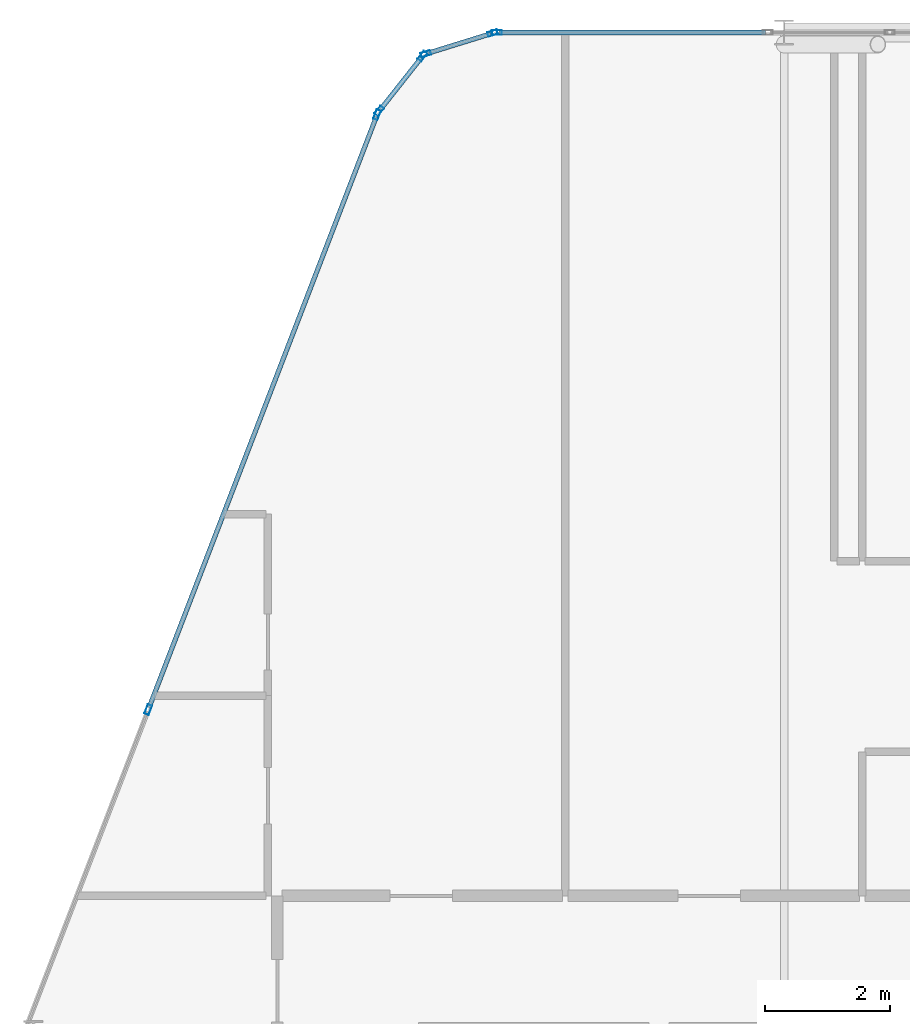
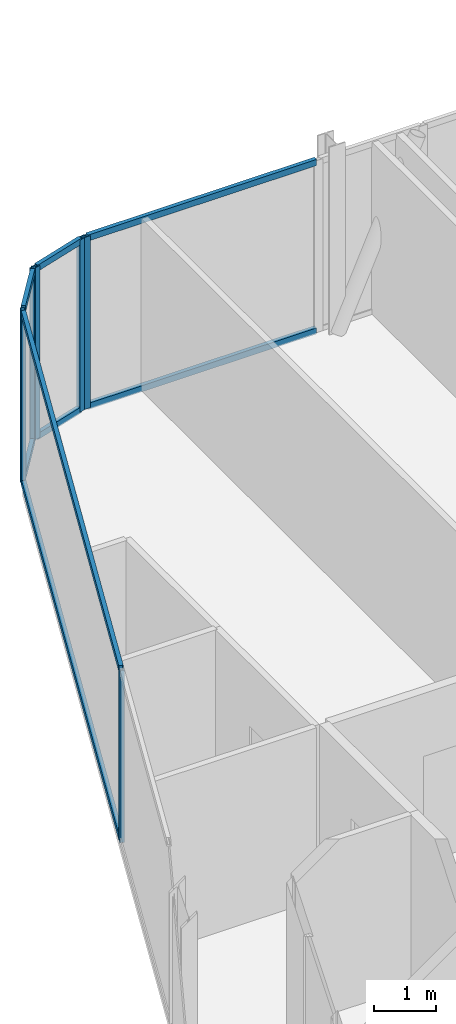
# One storey, part 15 of 27: 15 members, 4 elements without a shape of their own.
"""IFC4 building model written with IfcOpenShell, lengths in metres."""

from ifc_helpers import new_model, si_unit, direction, frame, origin, origin_2d, place, context, subcontext, project, spatial, hollow_rectangle, extrude, material, layer, layer_set, material_profile, profile_set, type_object, element, aggregate, save


model = new_model("IFC4")

# Units and contexts
model_context = context("Model", 3, precision=1e-05, world=origin(), true_north=direction((0.0, 1.0)))
body_context = subcontext(model_context, "Body", "Model", "MODEL_VIEW")
ifc_project = project(units=[si_unit("LENGTHUNIT", "METRE"), si_unit("AREAUNIT", "SQUARE_METRE"), si_unit("VOLUMEUNIT", "CUBIC_METRE"), si_unit("PLANEANGLEUNIT", "RADIAN"), si_unit("MASSUNIT", "GRAM", prefix="KILO")], contexts=[model_context])

# Site, building, storey
site_placement = place(None, origin())
site = spatial("IfcSite", under=ifc_project, at=site_placement, CompositionType="ELEMENT")
building_placement = place(site_placement, origin())
building = spatial("IfcBuilding", under=site, at=building_placement, Name="Keshet Zoharim Tower", CompositionType="ELEMENT")
storey_placement = place(building_placement, frame((0.0, 0.0, 262.10009765625)))
storey = spatial("IfcBuildingStorey", under=building, at=storey_placement, Name="L65", CompositionType="ELEMENT", Elevation=262.10009765625)

# Curtain wall, members
ifc_material = material(Name="Aluminium 6063-T6", Category="aluminium")
ifc_layer = layer(ifc_material, 0.260009765625)
ifc_layer_set = layer_set([ifc_layer], Name="Aluminium 6063-T6")
curtain_wall_type = type_object("IfcCurtainWallType", Name="CW-SYS-06", PredefinedType="NOTDEFINED", material=ifc_layer_set)
curtain_wall_1_placement = place(storey_placement, origin())
curtain_wall_1 = element("IfcCurtainWall", 1, at=curtain_wall_1_placement, inside=storey, type_object=curtain_wall_type, Name="L65 Unitised Curtain Wall 03", PredefinedType="NOTDEFINED")
ifc_material_profile_1 = material_profile(ifc_material, hollow_rectangle(XDim=0.074951171875, YDim=0.159912109375, WallThickness=0.00390625, at=origin_2d()), Name="MUL-75x160")
ifc_profile_set_1 = profile_set([ifc_material_profile_1], Name="Aluminium 6063-T6")
member_type_1 = type_object("IfcMemberType", Name="CWM-M15", PredefinedType="MULLION", material=ifc_profile_set_1)
member_1_placement = place(storey_placement, frame((10.8369140625, 43.076416015625, 0.0), z_axis=(0.0, 0.0, 1.0), x_axis=(-0.933341404361, 0.358990003907, 0.0)))
member_1 = element("IfcMember", 2, at=member_1_placement, type_object=member_type_1, Name="CW-06 mullion 3", PredefinedType="MULLION", context=body_context, shape_type="SweptSolid", body=[
    extrude(hollow_rectangle(XDim=0.074951171875, YDim=0.159912109375, WallThickness=0.00390625, at=origin_2d()), origin(), (0.0, 0.0, 1.0), 3.389892578125),
])
member_2_placement = place(storey_placement, frame((14.494384765625, 52.58544921875, 0.0), z_axis=(0.0, 0.0, 1.0), x_axis=(-0.933341404361, 0.358990003907, 0.0)))
member_2 = element("IfcMember", 3, at=member_2_placement, type_object=member_type_1, Name="CW-06 mullion 4", PredefinedType="MULLION", context=body_context, shape_type="SweptSolid", body=[
    extrude(hollow_rectangle(XDim=0.074951171875, YDim=0.159912109375, WallThickness=0.00390625, at=origin_2d()), origin(), (0.0, 0.0, 1.0), 3.389892578125),
])

curtain_wall_2_placement = place(storey_placement, origin())
curtain_wall_2 = element("IfcCurtainWall", 4, at=curtain_wall_2_placement, inside=storey, type_object=curtain_wall_type, Name="L65 Unitised Curtain Wall 04", PredefinedType="NOTDEFINED")
member_3_placement = place(storey_placement, frame((14.528564453125, 52.6455078125, 0.0), z_axis=(0.0, 0.0, 1.0), x_axis=(-0.785292825205, 0.619124525989, 0.0)))
member_3 = element("IfcMember", 5, at=member_3_placement, type_object=member_type_1, Name="CW-06 mullion 1", PredefinedType="MULLION", context=body_context, shape_type="SweptSolid", body=[
    extrude(hollow_rectangle(XDim=0.074951171875, YDim=0.159912109375, WallThickness=0.00390625, at=origin_2d()), origin(), (0.0, 0.0, 1.0), 3.389892578125),
])
member_4_placement = place(storey_placement, frame((15.21923828125, 53.521484375, 0.0), z_axis=(0.0, 0.0, 1.0), x_axis=(-0.785292825205, 0.619124525989, 0.0)))
member_4 = element("IfcMember", 6, at=member_4_placement, type_object=member_type_1, Name="CW-06 mullion 2", PredefinedType="MULLION", context=body_context, shape_type="SweptSolid", body=[
    extrude(hollow_rectangle(XDim=0.074951171875, YDim=0.159912109375, WallThickness=0.00390625, at=origin_2d()), origin(), (0.0, 0.0, 1.0), 3.389892578125),
])

curtain_wall_3_placement = place(storey_placement, origin())
curtain_wall_3 = element("IfcCurtainWall", 7, at=curtain_wall_3_placement, inside=storey, type_object=curtain_wall_type, Name="L65 Unitised Curtain Wall 05", PredefinedType="NOTDEFINED")
member_5_placement = place(storey_placement, frame((15.2744140625, 53.559326171875, 0.0), z_axis=(0.0, 0.0, 1.0), x_axis=(-0.295921857984, 0.955212151288, 0.0)))
member_5 = element("IfcMember", 8, at=member_5_placement, type_object=member_type_1, Name="CW-06 mullion 1", PredefinedType="MULLION", context=body_context, shape_type="SweptSolid", body=[
    extrude(hollow_rectangle(XDim=0.074951171875, YDim=0.159912109375, WallThickness=0.00390625, at=origin_2d()), origin(), (0.0, 0.0, 1.0), 3.389892578125),
])
member_6_placement = place(storey_placement, frame((16.340576171875, 53.8896484375, 0.0), z_axis=(0.0, 0.0, 1.0), x_axis=(-0.295921857984, 0.955212151288, 0.0)))
member_6 = element("IfcMember", 9, at=member_6_placement, type_object=member_type_1, Name="CW-06 mullion 2", PredefinedType="MULLION", context=body_context, shape_type="SweptSolid", body=[
    extrude(hollow_rectangle(XDim=0.074951171875, YDim=0.159912109375, WallThickness=0.00390625, at=origin_2d()), origin(), (0.0, 0.0, 1.0), 3.389892578125),
])

# Curtain wall, member
curtain_wall_4_placement = place(storey_placement, origin())
curtain_wall_4 = element("IfcCurtainWall", 10, at=curtain_wall_4_placement, inside=storey, type_object=curtain_wall_type, Name="L65 Unitised Curtain Wall 06", PredefinedType="NOTDEFINED")
member_7_placement = place(storey_placement, frame((16.408935546875, 53.89990234375, 0.0), z_axis=(0.0, 0.0, 1.0), x_axis=(0.0, 1.0, 0.0)))
member_7 = element("IfcMember", 11, at=member_7_placement, type_object=member_type_1, Name="CW-06 mullion 1", PredefinedType="MULLION", context=body_context, shape_type="SweptSolid", body=[
    extrude(hollow_rectangle(XDim=0.074951171875, YDim=0.159912109375, WallThickness=0.00390625, at=origin_2d()), origin(), (0.0, 0.0, 1.0), 3.389892578125),
])

# Member
ifc_material_profile_2 = material_profile(ifc_material, hollow_rectangle(XDim=0.074951171875, YDim=0.1201171875, WallThickness=0.00390625, at=origin_2d()), Name="TRN-75x120")
ifc_profile_set_2 = profile_set([ifc_material_profile_2], Name="Aluminium 6063-T6")
member_type_2 = type_object("IfcMemberType", Name="CWT-T12", PredefinedType="USERDEFINED", material=ifc_profile_set_2)
member_8_placement = place(storey_placement, frame((10.849609375, 43.10888671875, 0.034912109375), z_axis=(0.358985546764, 0.933343118694, 0.0), x_axis=(-0.933343118694, 0.358985546764, 0.0)))
member_8 = element("IfcMember", 12, at=member_8_placement, type_object=member_type_2, Name="CW-06 transom 3.1", ObjectType="TRANSOM", PredefinedType="USERDEFINED", context=body_context, shape_type="SweptSolid", body=[
    extrude(hollow_rectangle(XDim=0.074951171875, YDim=0.1201171875, WallThickness=0.00390625, at=origin_2d()), origin(), (0.0, 0.0, 1.0), 10.118408203125),
])

member_9_placement = place(storey_placement, frame((10.849609375, 43.10888671875, 3.35498046875), z_axis=(0.358985546764, 0.933343118694, 0.0), x_axis=(-0.933343118694, 0.358985546764, 0.0)))
member_9 = element("IfcMember", 13, at=member_9_placement, type_object=member_type_2, Name="CW-06 transom 3.2", ObjectType="TRANSOM", PredefinedType="USERDEFINED", context=body_context, shape_type="SweptSolid", body=[
    extrude(hollow_rectangle(XDim=0.074951171875, YDim=0.1201171875, WallThickness=0.00390625, at=origin_2d()), origin(), (0.0, 0.0, 1.0), 10.118408203125),
])

aggregate(curtain_wall_1, [member_1, member_2, member_8, member_9])

member_10_placement = place(storey_placement, frame((14.55029296875, 52.6728515625, 0.034912109375), z_axis=(0.619099165969, 0.78531281837, 0.0), x_axis=(-0.78531281837, 0.619099165969, 0.0)))
member_10 = element("IfcMember", 14, at=member_10_placement, type_object=member_type_2, Name="CW-06 transom 1.1", ObjectType="TRANSOM", PredefinedType="USERDEFINED", context=body_context, shape_type="SweptSolid", body=[
    extrude(hollow_rectangle(XDim=0.074951171875, YDim=0.1201171875, WallThickness=0.00390625, at=origin_2d()), origin(), (0.0, 0.0, 1.0), 1.0458984375),
])

member_11_placement = place(storey_placement, frame((14.55029296875, 52.6728515625, 3.35498046875), z_axis=(0.619099165969, 0.78531281837, 0.0), x_axis=(-0.78531281837, 0.619099165969, 0.0)))
member_11 = element("IfcMember", 15, at=member_11_placement, type_object=member_type_2, Name="CW-06 transom 1.2", ObjectType="TRANSOM", PredefinedType="USERDEFINED", context=body_context, shape_type="SweptSolid", body=[
    extrude(hollow_rectangle(XDim=0.074951171875, YDim=0.1201171875, WallThickness=0.00390625, at=origin_2d()), origin(), (0.0, 0.0, 1.0), 1.0458984375),
])

aggregate(curtain_wall_2, [member_3, member_4, member_10, member_11])

member_12_placement = place(storey_placement, frame((15.307861328125, 53.56982421875, 0.034912109375), z_axis=(0.955212093062, 0.295922045933, 0.0), x_axis=(-0.295922045933, 0.955212093062, 0.0)))
member_12 = element("IfcMember", 16, at=member_12_placement, type_object=member_type_2, Name="CW-06 transom 1.1", ObjectType="TRANSOM", PredefinedType="USERDEFINED", context=body_context, shape_type="SweptSolid", body=[
    extrude(hollow_rectangle(XDim=0.074951171875, YDim=0.1201171875, WallThickness=0.00390625, at=origin_2d()), origin(), (0.0, 0.0, 1.0), 1.046142578125),
])

member_13_placement = place(storey_placement, frame((15.307861328125, 53.56982421875, 3.35498046875), z_axis=(0.955212093062, 0.295922045933, 0.0), x_axis=(-0.295922045933, 0.955212093062, 0.0)))
member_13 = element("IfcMember", 17, at=member_13_placement, type_object=member_type_2, Name="CW-06 transom 1.2", ObjectType="TRANSOM", PredefinedType="USERDEFINED", context=body_context, shape_type="SweptSolid", body=[
    extrude(hollow_rectangle(XDim=0.074951171875, YDim=0.1201171875, WallThickness=0.00390625, at=origin_2d()), origin(), (0.0, 0.0, 1.0), 1.046142578125),
])

aggregate(curtain_wall_3, [member_5, member_6, member_12, member_13])

member_14_placement = place(storey_placement, frame((16.444091796875, 53.89990234375, 0.034912109375), z_axis=(1.0, 0.0, 0.0), x_axis=(0.0, 1.0, 0.0)))
member_14 = element("IfcMember", 18, at=member_14_placement, type_object=member_type_2, Name="CW-06 transom 1.1", ObjectType="TRANSOM", PredefinedType="USERDEFINED", context=body_context, shape_type="SweptSolid", body=[
    extrude(hollow_rectangle(XDim=0.074951171875, YDim=0.1201171875, WallThickness=0.00390625, at=origin_2d()), origin(), (0.0, 0.0, 1.0), 4.260986328125),
])

member_15_placement = place(storey_placement, frame((16.444091796875, 53.89990234375, 3.35498046875), z_axis=(1.0, 0.0, 0.0), x_axis=(0.0, 1.0, 0.0)))
member_15 = element("IfcMember", 19, at=member_15_placement, type_object=member_type_2, Name="CW-06 transom 1.2", ObjectType="TRANSOM", PredefinedType="USERDEFINED", context=body_context, shape_type="SweptSolid", body=[
    extrude(hollow_rectangle(XDim=0.074951171875, YDim=0.1201171875, WallThickness=0.00390625, at=origin_2d()), origin(), (0.0, 0.0, 1.0), 4.260986328125),
])

aggregate(curtain_wall_4, [member_7, member_14, member_15])

save(model, "model.ifc")
